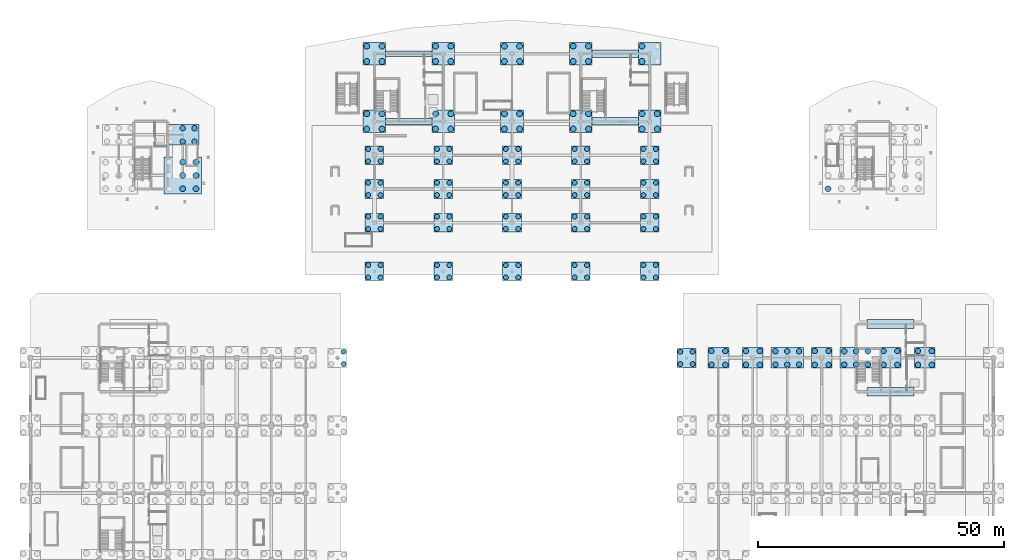
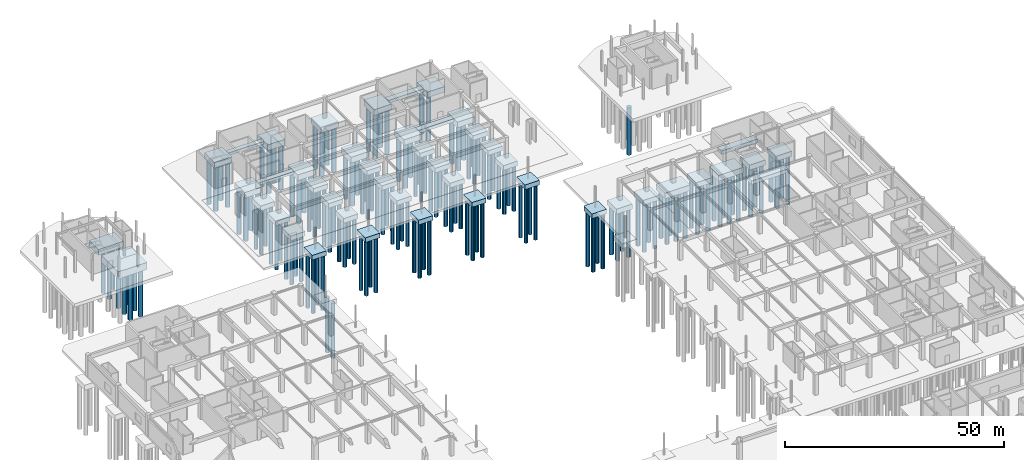
# One storey, part 6 of 62: 167 piles, 46 footings.
"""IFC4 building model written with IfcOpenShell, lengths in metres."""

from ifc_helpers import new_model, si_unit, direction, frame, origin, origin_2d, place, context, subcontext, project, spatial, rectangle, circle, extrude, material, material_profile, profile_set, type_object, element, save


model = new_model("IFC4")

# Units and contexts
model_context = context("Model", 3, precision=1e-05, world=origin(), true_north=direction((0.0, 1.0)))
body_context = subcontext(model_context, "Body", "Model", "MODEL_VIEW")
ifc_project = project(units=[si_unit("LENGTHUNIT", "METRE"), si_unit("AREAUNIT", "SQUARE_METRE"), si_unit("VOLUMEUNIT", "CUBIC_METRE"), si_unit("PLANEANGLEUNIT", "RADIAN"), si_unit("MASSUNIT", "GRAM", prefix="KILO")], contexts=[model_context])

# Site, building, storey
site_placement = place(None, origin())
site = spatial("IfcSite", under=ifc_project, at=site_placement, CompositionType="ELEMENT")
building_placement = place(site_placement, origin())
building = spatial("IfcBuilding", under=site, at=building_placement, Name="Linyun Crest Stadium", CompositionType="ELEMENT")
storey_placement = place(building_placement, frame((0.0, 0.0, -6.0)))
storey = spatial("IfcBuildingStorey", under=building, at=storey_placement, Name="B1", CompositionType="ELEMENT", Elevation=-6.0)

# Piles
ifc_material_1 = material(Name="Concrete C40", Category="concrete")
ifc_material_profile_1 = material_profile(ifc_material_1, circle(Radius=0.5, at=origin_2d()), Name="BORED PILE 1000")
ifc_profile_set_1 = profile_set([ifc_material_profile_1], Name="Concrete C40")
pile_type_1 = type_object("IfcPileType", Name="P02", PredefinedType="BORED", material=ifc_profile_set_1)
for number, where, z_axis, x_axis, name in (
    (1, (-29.25, 69.625, -1.800048828125), (0.0, 0.0, -1.0), (1.0, 0.0, 0.0), "Bored pile P02 577"),
    (2, (-29.25, 72.125, -1.800048828125), (0.0, 0.0, -1.0), (1.0, 0.0, 0.0), "Bored pile P02 578"),
    (3, (-26.75, 69.625, -1.800048828125), (0.0, 0.0, -1.0), (1.0, 0.0, 0.0), "Bored pile P02 579"),
    (4, (-26.75, 72.125, -1.800048828125), (0.0, 0.0, -1.0), (1.0, 0.0, 0.0), "Bored pile P02 580"),
    (5, (-29.25, 76.5, -1.800048828125), (0.0, 0.0, -1.0), (1.0, 0.0, 0.0), "Bored pile P02 581"),
    (6, (-29.25, 79.0, -1.800048828125), (0.0, 0.0, -1.0), (1.0, 0.0, 0.0), "Bored pile P02 582"),
    (7, (-26.75, 76.5, -1.800048828125), (0.0, 0.0, -1.0), (1.0, 0.0, 0.0), "Bored pile P02 583"),
    (8, (-26.75, 79.0, -1.800048828125), (0.0, 0.0, -1.0), (1.0, 0.0, 0.0), "Bored pile P02 584"),
    (9, (-29.25, 83.375, -1.800048828125), (0.0, 0.0, -1.0), (1.0, 0.0, 0.0), "Bored pile P02 585"),
    (10, (-29.25, 85.875, -1.800048828125), (0.0, 0.0, -1.0), (1.0, 0.0, 0.0), "Bored pile P02 586"),
    (11, (-26.75, 83.375, -1.800048828125), (0.0, 0.0, -1.0), (1.0, 0.0, 0.0), "Bored pile P02 587"),
    (12, (-26.75, 85.875, -1.800048828125), (0.0, 0.0, -1.0), (1.0, 0.0, 0.0), "Bored pile P02 588"),
    (13, (-15.25, 69.625, -1.800048828125), (0.0, 0.0, -1.0), (1.0, 0.0, 0.0), "Bored pile P02 597"),
    (14, (-15.25, 72.125, -1.800048828125), (0.0, 0.0, -1.0), (1.0, 0.0, 0.0), "Bored pile P02 598"),
    (15, (-12.75, 69.625, -1.800048828125), (0.0, 0.0, -1.0), (1.0, 0.0, 0.0), "Bored pile P02 599"),
    (16, (-12.75, 72.125, -1.800048828125), (0.0, 0.0, -1.0), (1.0, 0.0, 0.0), "Bored pile P02 600"),
    (17, (-15.25, 76.5, -1.800048828125), (0.0, 0.0, -1.0), (1.0, 0.0, 0.0), "Bored pile P02 601"),
    (18, (-15.25, 79.0, -1.800048828125), (0.0, 0.0, -1.0), (1.0, 0.0, 0.0), "Bored pile P02 602"),
    (19, (-12.75, 76.5, -1.800048828125), (0.0, 0.0, -1.0), (1.0, 0.0, 0.0), "Bored pile P02 603"),
    (20, (-12.75, 79.0, -1.800048828125), (0.0, 0.0, -1.0), (1.0, 0.0, 0.0), "Bored pile P02 604"),
    (21, (-15.25, 83.375, -1.800048828125), (0.0, 0.0, -1.0), (1.0, 0.0, 0.0), "Bored pile P02 605"),
    (22, (-15.25, 85.875, -1.800048828125), (0.0, 0.0, -1.0), (1.0, 0.0, 0.0), "Bored pile P02 606"),
    (23, (-12.75, 83.375, -1.800048828125), (0.0, 0.0, -1.0), (1.0, 0.0, 0.0), "Bored pile P02 607"),
    (24, (-12.75, 85.875, -1.800048828125), (0.0, 0.0, -1.0), (1.0, 0.0, 0.0), "Bored pile P02 608"),
    (25, (-1.25, 69.625, -1.800048828125), (0.0, 0.0, -1.0), (1.0, 0.0, 0.0), "Bored pile P02 617"),
    (26, (-1.25, 72.125, -1.800048828125), (0.0, 0.0, -1.0), (1.0, 0.0, 0.0), "Bored pile P02 618"),
    (27, (1.25, 69.625, -1.800048828125), (0.0, 0.0, -1.0), (1.0, 0.0, 0.0), "Bored pile P02 619"),
    (28, (1.25, 72.125, -1.800048828125), (0.0, 0.0, -1.0), (1.0, 0.0, 0.0), "Bored pile P02 620"),
    (29, (-1.25, 76.5, -1.800048828125), (0.0, 0.0, -1.0), (1.0, 0.0, 0.0), "Bored pile P02 621"),
    (30, (-1.25, 79.0, -1.800048828125), (0.0, 0.0, -1.0), (1.0, 0.0, 0.0), "Bored pile P02 622"),
    (31, (1.25, 76.5, -1.800048828125), (0.0, 0.0, -1.0), (1.0, 0.0, 0.0), "Bored pile P02 623"),
    (32, (1.25, 79.0, -1.800048828125), (0.0, 0.0, -1.0), (1.0, 0.0, 0.0), "Bored pile P02 624"),
    (33, (-1.25, 83.375, -1.800048828125), (0.0, 0.0, -1.0), (1.0, 0.0, 0.0), "Bored pile P02 625"),
    (34, (-1.25, 85.875, -1.800048828125), (0.0, 0.0, -1.0), (1.0, 0.0, 0.0), "Bored pile P02 626"),
    (35, (1.25, 83.375, -1.800048828125), (0.0, 0.0, -1.0), (1.0, 0.0, 0.0), "Bored pile P02 627"),
    (36, (1.25, 85.875, -1.800048828125), (0.0, 0.0, -1.0), (1.0, 0.0, 0.0), "Bored pile P02 628"),
    (37, (12.75, 69.625, -1.800048828125), (0.0, 0.0, -1.0), (1.0, 0.0, 0.0), "Bored pile P02 637"),
    (38, (12.75, 72.125, -1.800048828125), (0.0, 0.0, -1.0), (1.0, 0.0, 0.0), "Bored pile P02 638"),
    (39, (15.25, 69.625, -1.800048828125), (0.0, 0.0, -1.0), (1.0, 0.0, 0.0), "Bored pile P02 639"),
    (40, (15.25, 72.125, -1.800048828125), (0.0, 0.0, -1.0), (1.0, 0.0, 0.0), "Bored pile P02 640"),
    (41, (12.75, 76.5, -1.800048828125), (0.0, 0.0, -1.0), (1.0, 0.0, 0.0), "Bored pile P02 641"),
    (42, (12.75, 79.0, -1.800048828125), (0.0, 0.0, -1.0), (1.0, 0.0, 0.0), "Bored pile P02 642"),
    (43, (15.25, 76.5, -1.800048828125), (0.0, 0.0, -1.0), (1.0, 0.0, 0.0), "Bored pile P02 643"),
    (44, (15.25, 79.0, -1.800048828125), (0.0, 0.0, -1.0), (1.0, 0.0, 0.0), "Bored pile P02 644"),
    (45, (12.75, 83.375, -1.800048828125), (0.0, 0.0, -1.0), (1.0, 0.0, 0.0), "Bored pile P02 645"),
    (46, (12.75, 85.875, -1.800048828125), (0.0, 0.0, -1.0), (1.0, 0.0, 0.0), "Bored pile P02 646"),
    (47, (15.25, 83.375, -1.800048828125), (0.0, 0.0, -1.0), (1.0, 0.0, 0.0), "Bored pile P02 647"),
    (48, (15.25, 85.875, -1.800048828125), (0.0, 0.0, -1.0), (1.0, 0.0, 0.0), "Bored pile P02 648"),
    (49, (26.75, 69.625, -1.800048828125), (0.0, 0.0, -1.0), (1.0, 0.0, 0.0), "Bored pile P02 657"),
    (50, (26.75, 72.125, -1.800048828125), (0.0, 0.0, -1.0), (1.0, 0.0, 0.0), "Bored pile P02 658"),
    (51, (29.25, 69.625, -1.800048828125), (0.0, 0.0, -1.0), (1.0, 0.0, 0.0), "Bored pile P02 659"),
    (52, (29.25, 72.125, -1.800048828125), (0.0, 0.0, -1.0), (1.0, 0.0, 0.0), "Bored pile P02 660"),
    (53, (26.75, 76.5, -1.800048828125), (0.0, 0.0, -1.0), (1.0, 0.0, 0.0), "Bored pile P02 661"),
    (54, (26.75, 79.0, -1.800048828125), (0.0, 0.0, -1.0), (1.0, 0.0, 0.0), "Bored pile P02 662"),
    (55, (29.25, 76.5, -1.800048828125), (0.0, 0.0, -1.0), (1.0, 0.0, 0.0), "Bored pile P02 663"),
    (56, (29.25, 79.0, -1.800048828125), (0.0, 0.0, -1.0), (1.0, 0.0, 0.0), "Bored pile P02 664"),
    (57, (26.75, 83.375, -1.800048828125), (0.0, 0.0, -1.0), (1.0, 0.0, 0.0), "Bored pile P02 665"),
    (58, (26.75, 85.875, -1.800048828125), (0.0, 0.0, -1.0), (1.0, 0.0, 0.0), "Bored pile P02 666"),
    (59, (29.25, 83.375, -1.800048828125), (0.0, 0.0, -1.0), (1.0, 0.0, 0.0), "Bored pile P02 667"),
    (60, (29.25, 85.875, -1.800048828125), (0.0, 0.0, -1.0), (1.0, 0.0, 0.0), "Bored pile P02 668"),
):
    element("IfcPile", number, at=place(storey_placement, frame(where, z_axis=z_axis, x_axis=x_axis)), inside=storey, type_object=pile_type_1, Name=name, PredefinedType="BORED", context=body_context, shape_type="SweptSolid", body=[
        extrude(circle(Radius=0.5, at=origin_2d()), origin(), (0.0, 0.0, 1.0), 12.699951171875),
    ])
for number, where, z_axis, x_axis, name in (
    (61, (-34.25, 42.125, -1.199951171875), (0.0, 0.0, -1.0), (1.0, 0.0, 0.0), "Bored pile P02 arch 16.3"),
    (62, (-34.25, 44.625, -1.199951171875), (0.0, 0.0, -1.0), (1.0, 0.0, 0.0), "Bored pile P02 arch 16.4"),
    (63, (34.25, 42.125, -1.199951171875), (0.0, 0.0, -1.0), (1.0, 0.0, 0.0), "Bored pile P02 arch 32.1"),
    (64, (34.25, 44.625, -1.199951171875), (0.0, 0.0, -1.0), (1.0, 0.0, 0.0), "Bored pile P02 arch 32.2"),
    (65, (36.75, 42.125, -1.199951171875), (0.0, 0.0, -1.0), (1.0, 0.0, 0.0), "Bored pile P02 arch 32.3"),
    (66, (36.75, 44.625, -1.199951171875), (0.0, 0.0, -1.0), (1.0, 0.0, 0.0), "Bored pile P02 arch 32.4"),
    (67, (-29.25, 59.75, -1.199951171875), (0.0, 0.0, -1.0), (1.0, 0.0, 0.0), "Bored pile P02 arch 34.1"),
    (68, (-29.25, 62.25, -1.199951171875), (0.0, 0.0, -1.0), (1.0, 0.0, 0.0), "Bored pile P02 arch 34.2"),
    (69, (-26.75, 59.75, -1.199951171875), (0.0, 0.0, -1.0), (1.0, 0.0, 0.0), "Bored pile P02 arch 34.3"),
    (70, (-26.75, 62.25, -1.199951171875), (0.0, 0.0, -1.0), (1.0, 0.0, 0.0), "Bored pile P02 arch 34.4"),
    (71, (-15.25, 59.75, -1.199951171875), (0.0, 0.0, -1.0), (1.0, 0.0, 0.0), "Bored pile P02 arch 36.1"),
    (72, (-15.25, 62.25, -1.199951171875), (0.0, 0.0, -1.0), (1.0, 0.0, 0.0), "Bored pile P02 arch 36.2"),
    (73, (-12.75, 59.75, -1.199951171875), (0.0, 0.0, -1.0), (1.0, 0.0, 0.0), "Bored pile P02 arch 36.3"),
    (74, (-12.75, 62.25, -1.199951171875), (0.0, 0.0, -1.0), (1.0, 0.0, 0.0), "Bored pile P02 arch 36.4"),
    (75, (-1.25, 59.75, -1.199951171875), (0.0, 0.0, -1.0), (1.0, 0.0, 0.0), "Bored pile P02 arch 38.1"),
    (76, (-1.25, 62.25, -1.199951171875), (0.0, 0.0, -1.0), (1.0, 0.0, 0.0), "Bored pile P02 arch 38.2"),
    (77, (1.25, 59.75, -1.199951171875), (0.0, 0.0, -1.0), (1.0, 0.0, 0.0), "Bored pile P02 arch 38.3"),
    (78, (1.25, 62.25, -1.199951171875), (0.0, 0.0, -1.0), (1.0, 0.0, 0.0), "Bored pile P02 arch 38.4"),
    (79, (12.75, 59.75, -1.199951171875), (0.0, 0.0, -1.0), (1.0, 0.0, 0.0), "Bored pile P02 arch 40.1"),
    (80, (12.75, 62.25, -1.199951171875), (0.0, 0.0, -1.0), (1.0, 0.0, 0.0), "Bored pile P02 arch 40.2"),
    (81, (15.25, 59.75, -1.199951171875), (0.0, 0.0, -1.0), (1.0, 0.0, 0.0), "Bored pile P02 arch 40.3"),
    (82, (15.25, 62.25, -1.199951171875), (0.0, 0.0, -1.0), (1.0, 0.0, 0.0), "Bored pile P02 arch 40.4"),
    (83, (26.75, 59.75, -1.199951171875), (0.0, 0.0, -1.0), (1.0, 0.0, 0.0), "Bored pile P02 arch 42.1"),
    (84, (26.75, 62.25, -1.199951171875), (0.0, 0.0, -1.0), (1.0, 0.0, 0.0), "Bored pile P02 arch 42.2"),
    (85, (29.25, 59.75, -1.199951171875), (0.0, 0.0, -1.0), (1.0, 0.0, 0.0), "Bored pile P02 arch 42.3"),
    (86, (29.25, 62.25, -1.199951171875), (0.0, 0.0, -1.0), (1.0, 0.0, 0.0), "Bored pile P02 arch 42.4"),
):
    element("IfcPile", number, at=place(storey_placement, frame(where, z_axis=z_axis, x_axis=x_axis)), inside=storey, type_object=pile_type_1, Name=name, PredefinedType="BORED", context=body_context, shape_type="SweptSolid", body=[
        extrude(circle(Radius=0.5, at=origin_2d()), origin(), (0.0, 0.0, 1.0), 15.300048828125),
    ])
ifc_material_2 = material(Name="Concrete C40", Category="concrete")
ifc_material_profile_2 = material_profile(ifc_material_2, circle(Radius=0.550048828125, at=origin_2d()), Name="BORED PILE 1100")
ifc_profile_set_2 = profile_set([ifc_material_profile_2], Name="Concrete C40")
pile_type_2 = type_object("IfcPileType", Name="P03", PredefinedType="BORED", material=ifc_profile_set_2)
for number, where, z_axis, x_axis, name in (
    (87, (40.60009765625, 41.97509765625, -2.050048828125), (0.0, 0.0, -1.0), (1.0, 0.0, 0.0), "Bored pile P03 317"),
    (88, (40.60009765625, 44.77490234375, -2.050048828125), (0.0, 0.0, -1.0), (1.0, 0.0, 0.0), "Bored pile P03 318"),
    (89, (43.39990234375, 41.97509765625, -2.050048828125), (0.0, 0.0, -1.0), (1.0, 0.0, 0.0), "Bored pile P03 319"),
    (90, (43.39990234375, 44.77490234375, -2.050048828125), (0.0, 0.0, -1.0), (1.0, 0.0, 0.0), "Bored pile P03 320"),
    (91, (47.60009765625, 41.97509765625, -2.050048828125), (0.0, 0.0, -1.0), (1.0, 0.0, 0.0), "Bored pile P03 349"),
    (92, (47.60009765625, 44.77490234375, -2.050048828125), (0.0, 0.0, -1.0), (1.0, 0.0, 0.0), "Bored pile P03 350"),
    (93, (50.39990234375, 41.97509765625, -2.050048828125), (0.0, 0.0, -1.0), (1.0, 0.0, 0.0), "Bored pile P03 351"),
    (94, (50.39990234375, 44.77490234375, -2.050048828125), (0.0, 0.0, -1.0), (1.0, 0.0, 0.0), "Bored pile P03 352"),
):
    element("IfcPile", number, at=place(storey_placement, frame(where, z_axis=z_axis, x_axis=x_axis)), inside=storey, type_object=pile_type_2, Name=name, PredefinedType="BORED", context=body_context, shape_type="SweptSolid", body=[
        extrude(circle(Radius=0.550048828125, at=origin_2d()), origin(), (0.0, 0.0, 1.0), 13.449951171875),
    ])
for number, where, z_axis, x_axis, name in (
    (95, (53.60009765625, 42.02490234375, -2.25), (0.0, 0.0, -1.0), (1.0, 0.0, 0.0), "Bored pile P03 395"),
    (96, (53.60009765625, 44.72509765625, -2.25), (0.0, 0.0, -1.0), (1.0, 0.0, 0.0), "Bored pile P03 396"),
    (97, (56.0, 42.02490234375, -2.25), (0.0, 0.0, -1.0), (1.0, 0.0, 0.0), "Bored pile P03 397"),
    (98, (56.0, 44.72509765625, -2.25), (0.0, 0.0, -1.0), (1.0, 0.0, 0.0), "Bored pile P03 398"),
    (99, (58.39990234375, 42.02490234375, -2.25), (0.0, 0.0, -1.0), (1.0, 0.0, 0.0), "Bored pile P03 399"),
    (100, (58.39990234375, 44.72509765625, -2.25), (0.0, 0.0, -1.0), (1.0, 0.0, 0.0), "Bored pile P03 400"),
):
    element("IfcPile", number, at=place(storey_placement, frame(where, z_axis=z_axis, x_axis=x_axis)), inside=storey, type_object=pile_type_2, Name=name, PredefinedType="BORED", context=body_context, shape_type="SweptSolid", body=[
        extrude(circle(Radius=0.550048828125, at=origin_2d()), origin(), (0.0, 0.0, 1.0), 13.25),
    ])
for number, where, z_axis, x_axis, name in (
    (101, (61.60009765625, 41.97509765625, -2.050048828125), (0.0, 0.0, -1.0), (1.0, 0.0, 0.0), "Bored pile P03 429"),
    (102, (61.60009765625, 44.77490234375, -2.050048828125), (0.0, 0.0, -1.0), (1.0, 0.0, 0.0), "Bored pile P03 430"),
    (103, (64.39990234375, 41.97509765625, -2.050048828125), (0.0, 0.0, -1.0), (1.0, 0.0, 0.0), "Bored pile P03 431"),
    (104, (64.39990234375, 44.77490234375, -2.050048828125), (0.0, 0.0, -1.0), (1.0, 0.0, 0.0), "Bored pile P03 432"),
):
    element("IfcPile", number, at=place(storey_placement, frame(where, z_axis=z_axis, x_axis=x_axis)), inside=storey, type_object=pile_type_2, Name=name, PredefinedType="BORED", context=body_context, shape_type="SweptSolid", body=[
        extrude(circle(Radius=0.550048828125, at=origin_2d()), origin(), (0.0, 0.0, 1.0), 13.449951171875),
    ])
for number, where, z_axis, x_axis, name in (
    (105, (67.60009765625, 42.02490234375, -2.25), (0.0, 0.0, -1.0), (1.0, 0.0, 0.0), "Bored pile P03 475"),
    (106, (67.60009765625, 44.72509765625, -2.25), (0.0, 0.0, -1.0), (1.0, 0.0, 0.0), "Bored pile P03 476"),
    (107, (70.0, 42.02490234375, -2.25), (0.0, 0.0, -1.0), (1.0, 0.0, 0.0), "Bored pile P03 477"),
    (108, (70.0, 44.72509765625, -2.25), (0.0, 0.0, -1.0), (1.0, 0.0, 0.0), "Bored pile P03 478"),
    (109, (72.39990234375, 42.02490234375, -2.25), (0.0, 0.0, -1.0), (1.0, 0.0, 0.0), "Bored pile P03 479"),
    (110, (72.39990234375, 44.72509765625, -2.25), (0.0, 0.0, -1.0), (1.0, 0.0, 0.0), "Bored pile P03 480"),
):
    element("IfcPile", number, at=place(storey_placement, frame(where, z_axis=z_axis, x_axis=x_axis)), inside=storey, type_object=pile_type_2, Name=name, PredefinedType="BORED", context=body_context, shape_type="SweptSolid", body=[
        extrude(circle(Radius=0.550048828125, at=origin_2d()), origin(), (0.0, 0.0, 1.0), 13.25),
    ])
for number, where, z_axis, x_axis, name in (
    (111, (75.60009765625, 41.97509765625, -2.050048828125), (0.0, 0.0, -1.0), (1.0, 0.0, 0.0), "Bored pile P03 509"),
    (112, (75.60009765625, 44.77490234375, -2.050048828125), (0.0, 0.0, -1.0), (1.0, 0.0, 0.0), "Bored pile P03 510"),
    (113, (78.39990234375, 41.97509765625, -2.050048828125), (0.0, 0.0, -1.0), (1.0, 0.0, 0.0), "Bored pile P03 511"),
    (114, (78.39990234375, 44.77490234375, -2.050048828125), (0.0, 0.0, -1.0), (1.0, 0.0, 0.0), "Bored pile P03 512"),
    (115, (82.60009765625, 41.97509765625, -2.050048828125), (0.0, 0.0, -1.0), (1.0, 0.0, 0.0), "Bored pile P03 541"),
    (116, (82.60009765625, 44.77490234375, -2.050048828125), (0.0, 0.0, -1.0), (1.0, 0.0, 0.0), "Bored pile P03 542"),
    (117, (85.39990234375, 41.97509765625, -2.050048828125), (0.0, 0.0, -1.0), (1.0, 0.0, 0.0), "Bored pile P03 543"),
    (118, (85.39990234375, 44.77490234375, -2.050048828125), (0.0, 0.0, -1.0), (1.0, 0.0, 0.0), "Bored pile P03 544"),
):
    element("IfcPile", number, at=place(storey_placement, frame(where, z_axis=z_axis, x_axis=x_axis)), inside=storey, type_object=pile_type_2, Name=name, PredefinedType="BORED", context=body_context, shape_type="SweptSolid", body=[
        extrude(circle(Radius=0.550048828125, at=origin_2d()), origin(), (0.0, 0.0, 1.0), 13.449951171875),
    ])
for number, where, z_axis, x_axis, name in (
    (119, (-67.0, 87.39990234375, -2.39990234375), (0.0, 0.0, -1.0), (1.0, 0.0, 0.0), "Bored pile P03 823"),
    (120, (-67.0, 90.10009765625, -2.39990234375), (0.0, 0.0, -1.0), (1.0, 0.0, 0.0), "Bored pile P03 824"),
    (121, (-64.60009765625, 87.39990234375, -2.39990234375), (0.0, 0.0, -1.0), (1.0, 0.0, 0.0), "Bored pile P03 825"),
    (122, (-64.60009765625, 90.10009765625, -2.39990234375), (0.0, 0.0, -1.0), (1.0, 0.0, 0.0), "Bored pile P03 826"),
):
    element("IfcPile", number, at=place(storey_placement, frame(where, z_axis=z_axis, x_axis=x_axis)), inside=storey, type_object=pile_type_2, Name=name, PredefinedType="BORED", context=body_context, shape_type="SweptSolid", body=[
        extrude(circle(Radius=0.550048828125, at=origin_2d()), origin(), (0.0, 0.0, 1.0), 13.60009765625),
    ])
ifc_material_3 = material(Name="Concrete C40", Category="concrete")
ifc_material_profile_3 = material_profile(ifc_material_3, circle(Radius=0.60009765625, at=origin_2d()), Name="BORED PILE 1200")
ifc_profile_set_3 = profile_set([ifc_material_profile_3], Name="Concrete C40")
pile_type_3 = type_object("IfcPileType", Name="P04", PredefinedType="BORED", material=ifc_profile_set_3)
for number, where, z_axis, x_axis, name in (
    (123, (-29.550048828125, 89.949951171875, -2.10009765625), (0.0, 0.0, -1.0), (1.0, 0.0, 0.0), "Bored pile P04 589"),
    (124, (-29.550048828125, 93.050048828125, -2.10009765625), (0.0, 0.0, -1.0), (1.0, 0.0, 0.0), "Bored pile P04 590"),
    (125, (-26.449951171875, 89.949951171875, -2.10009765625), (0.0, 0.0, -1.0), (1.0, 0.0, 0.0), "Bored pile P04 591"),
    (126, (-26.449951171875, 93.050048828125, -2.10009765625), (0.0, 0.0, -1.0), (1.0, 0.0, 0.0), "Bored pile P04 592"),
    (127, (-29.550048828125, 103.699951171875, -2.10009765625), (0.0, 0.0, -1.0), (1.0, 0.0, 0.0), "Bored pile P04 593"),
    (128, (-29.550048828125, 106.800048828125, -2.10009765625), (0.0, 0.0, -1.0), (1.0, 0.0, 0.0), "Bored pile P04 594"),
    (129, (-26.449951171875, 103.699951171875, -2.10009765625), (0.0, 0.0, -1.0), (1.0, 0.0, 0.0), "Bored pile P04 595"),
    (130, (-26.449951171875, 106.800048828125, -2.10009765625), (0.0, 0.0, -1.0), (1.0, 0.0, 0.0), "Bored pile P04 596"),
    (131, (-15.550048828125, 89.949951171875, -2.10009765625), (0.0, 0.0, -1.0), (1.0, 0.0, 0.0), "Bored pile P04 609"),
    (132, (-15.550048828125, 93.050048828125, -2.10009765625), (0.0, 0.0, -1.0), (1.0, 0.0, 0.0), "Bored pile P04 610"),
    (133, (-12.449951171875, 89.949951171875, -2.10009765625), (0.0, 0.0, -1.0), (1.0, 0.0, 0.0), "Bored pile P04 611"),
    (134, (-12.449951171875, 93.050048828125, -2.10009765625), (0.0, 0.0, -1.0), (1.0, 0.0, 0.0), "Bored pile P04 612"),
    (135, (-15.550048828125, 103.699951171875, -2.10009765625), (0.0, 0.0, -1.0), (1.0, 0.0, 0.0), "Bored pile P04 613"),
    (136, (-15.550048828125, 106.800048828125, -2.10009765625), (0.0, 0.0, -1.0), (1.0, 0.0, 0.0), "Bored pile P04 614"),
    (137, (-12.449951171875, 103.699951171875, -2.10009765625), (0.0, 0.0, -1.0), (1.0, 0.0, 0.0), "Bored pile P04 615"),
    (138, (-12.449951171875, 106.800048828125, -2.10009765625), (0.0, 0.0, -1.0), (1.0, 0.0, 0.0), "Bored pile P04 616"),
    (139, (-1.550048828125, 89.949951171875, -2.10009765625), (0.0, 0.0, -1.0), (1.0, 0.0, 0.0), "Bored pile P04 629"),
    (140, (-1.550048828125, 93.050048828125, -2.10009765625), (0.0, 0.0, -1.0), (1.0, 0.0, 0.0), "Bored pile P04 630"),
    (141, (1.550048828125, 89.949951171875, -2.10009765625), (0.0, 0.0, -1.0), (1.0, 0.0, 0.0), "Bored pile P04 631"),
    (142, (1.550048828125, 93.050048828125, -2.10009765625), (0.0, 0.0, -1.0), (1.0, 0.0, 0.0), "Bored pile P04 632"),
    (143, (-1.550048828125, 103.699951171875, -2.10009765625), (0.0, 0.0, -1.0), (1.0, 0.0, 0.0), "Bored pile P04 633"),
    (144, (-1.550048828125, 106.800048828125, -2.10009765625), (0.0, 0.0, -1.0), (1.0, 0.0, 0.0), "Bored pile P04 634"),
    (145, (1.550048828125, 103.699951171875, -2.10009765625), (0.0, 0.0, -1.0), (1.0, 0.0, 0.0), "Bored pile P04 635"),
    (146, (1.550048828125, 106.800048828125, -2.10009765625), (0.0, 0.0, -1.0), (1.0, 0.0, 0.0), "Bored pile P04 636"),
    (147, (12.449951171875, 89.949951171875, -2.10009765625), (0.0, 0.0, -1.0), (1.0, 0.0, 0.0), "Bored pile P04 649"),
    (148, (12.449951171875, 93.050048828125, -2.10009765625), (0.0, 0.0, -1.0), (1.0, 0.0, 0.0), "Bored pile P04 650"),
    (149, (15.550048828125, 89.949951171875, -2.10009765625), (0.0, 0.0, -1.0), (1.0, 0.0, 0.0), "Bored pile P04 651"),
    (150, (15.550048828125, 93.050048828125, -2.10009765625), (0.0, 0.0, -1.0), (1.0, 0.0, 0.0), "Bored pile P04 652"),
    (151, (12.449951171875, 103.699951171875, -2.10009765625), (0.0, 0.0, -1.0), (1.0, 0.0, 0.0), "Bored pile P04 653"),
    (152, (12.449951171875, 106.800048828125, -2.10009765625), (0.0, 0.0, -1.0), (1.0, 0.0, 0.0), "Bored pile P04 654"),
    (153, (15.550048828125, 103.699951171875, -2.10009765625), (0.0, 0.0, -1.0), (1.0, 0.0, 0.0), "Bored pile P04 655"),
    (154, (15.550048828125, 106.800048828125, -2.10009765625), (0.0, 0.0, -1.0), (1.0, 0.0, 0.0), "Bored pile P04 656"),
    (155, (26.449951171875, 89.949951171875, -2.10009765625), (0.0, 0.0, -1.0), (1.0, 0.0, 0.0), "Bored pile P04 669"),
    (156, (26.449951171875, 93.050048828125, -2.10009765625), (0.0, 0.0, -1.0), (1.0, 0.0, 0.0), "Bored pile P04 670"),
    (157, (29.550048828125, 89.949951171875, -2.10009765625), (0.0, 0.0, -1.0), (1.0, 0.0, 0.0), "Bored pile P04 671"),
    (158, (29.550048828125, 93.050048828125, -2.10009765625), (0.0, 0.0, -1.0), (1.0, 0.0, 0.0), "Bored pile P04 672"),
    (159, (26.449951171875, 103.699951171875, -2.10009765625), (0.0, 0.0, -1.0), (1.0, 0.0, 0.0), "Bored pile P04 673"),
    (160, (26.449951171875, 106.800048828125, -2.10009765625), (0.0, 0.0, -1.0), (1.0, 0.0, 0.0), "Bored pile P04 674"),
):
    element("IfcPile", number, at=place(storey_placement, frame(where, z_axis=z_axis, x_axis=x_axis)), inside=storey, type_object=pile_type_3, Name=name, PredefinedType="BORED", context=body_context, shape_type="SweptSolid", body=[
        extrude(circle(Radius=0.60009765625, at=origin_2d()), origin(), (0.0, 0.0, 1.0), 12.39990234375),
    ])
for number, where, z_axis, x_axis, name in (
    (161, (-67.0, 77.800048828125, -2.800048828125), (0.0, 0.0, -1.0), (1.0, 0.0, 0.0), "Bored pile P04 809"),
    (162, (-67.0, 80.5, -2.800048828125), (0.0, 0.0, -1.0), (1.0, 0.0, 0.0), "Bored pile P04 810"),
    (163, (-67.0, 83.199951171875, -2.800048828125), (0.0, 0.0, -1.0), (1.0, 0.0, 0.0), "Bored pile P04 811"),
    (164, (-64.300048828125, 77.800048828125, -2.800048828125), (0.0, 0.0, -1.0), (1.0, 0.0, 0.0), "Bored pile P04 812"),
    (165, (-64.300048828125, 80.5, -2.800048828125), (0.0, 0.0, -1.0), (1.0, 0.0, 0.0), "Bored pile P04 813"),
    (166, (-64.300048828125, 83.199951171875, -2.800048828125), (0.0, 0.0, -1.0), (1.0, 0.0, 0.0), "Bored pile P04 814"),
    (167, (64.300048828125, 77.800048828125, -2.800048828125), (0.0, 0.0, -1.0), (1.0, 0.0, 0.0), "Bored pile P04 827"),
):
    element("IfcPile", number, at=place(storey_placement, frame(where, z_axis=z_axis, x_axis=x_axis)), inside=storey, type_object=pile_type_3, Name=name, PredefinedType="BORED", context=body_context, shape_type="SweptSolid", body=[
        extrude(circle(Radius=0.60009765625, at=origin_2d()), origin(), (0.0, 0.0, 1.0), 13.199951171875),
    ])

# Footings
ifc_material_4 = material(Name="Concrete C40", Category="concrete")
footing_type_1 = type_object("IfcFootingType", Name="PC02", PredefinedType="PILE_CAP", material=ifc_material_4)
for number, where, z_axis, x_axis, name in (
    (168, (-28.0, 70.875, -1.89990234375), (0.0, 0.0, 1.0), (1.0, 0.0, 0.0), "Foundation PC02 129"),
    (169, (-28.0, 77.75, -1.89990234375), (0.0, 0.0, 1.0), (1.0, 0.0, 0.0), "Foundation PC02 130"),
    (170, (-28.0, 84.625, -1.89990234375), (0.0, 0.0, 1.0), (1.0, 0.0, 0.0), "Foundation PC02 131"),
    (171, (-14.0, 70.875, -1.89990234375), (0.0, 0.0, 1.0), (1.0, 0.0, 0.0), "Foundation PC02 134"),
    (172, (-14.0, 77.75, -1.89990234375), (0.0, 0.0, 1.0), (1.0, 0.0, 0.0), "Foundation PC02 135"),
    (173, (-14.0, 84.625, -1.89990234375), (0.0, 0.0, 1.0), (1.0, 0.0, 0.0), "Foundation PC02 136"),
    (174, (0.0, 70.875, -1.89990234375), (0.0, 0.0, 1.0), (1.0, 0.0, 0.0), "Foundation PC02 139"),
    (175, (0.0, 77.75, -1.89990234375), (0.0, 0.0, 1.0), (1.0, 0.0, 0.0), "Foundation PC02 140"),
    (176, (0.0, 84.625, -1.89990234375), (0.0, 0.0, 1.0), (1.0, 0.0, 0.0), "Foundation PC02 141"),
    (177, (14.0, 70.875, -1.89990234375), (0.0, 0.0, 1.0), (1.0, 0.0, 0.0), "Foundation PC02 144"),
    (178, (14.0, 77.75, -1.89990234375), (0.0, 0.0, 1.0), (1.0, 0.0, 0.0), "Foundation PC02 145"),
    (179, (14.0, 84.625, -1.89990234375), (0.0, 0.0, 1.0), (1.0, 0.0, 0.0), "Foundation PC02 146"),
    (180, (28.0, 70.875, -1.89990234375), (0.0, 0.0, 1.0), (1.0, 0.0, 0.0), "Foundation PC02 149"),
    (181, (28.0, 77.75, -1.89990234375), (0.0, 0.0, 1.0), (1.0, 0.0, 0.0), "Foundation PC02 150"),
    (182, (28.0, 84.625, -1.89990234375), (0.0, 0.0, 1.0), (1.0, 0.0, 0.0), "Foundation PC02 151"),
    (183, (35.5, 43.375, -1.2998046875), (0.0, 0.0, 1.0), (1.0, 0.0, 0.0), "Foundation PC02 arch 32"),
    (184, (-28.0, 61.0, -1.2998046875), (0.0, 0.0, 1.0), (1.0, 0.0, 0.0), "Foundation PC02 arch 34"),
    (185, (-14.0, 61.0, -1.2998046875), (0.0, 0.0, 1.0), (1.0, 0.0, 0.0), "Foundation PC02 arch 36"),
    (186, (0.0, 61.0, -1.2998046875), (0.0, 0.0, 1.0), (1.0, 0.0, 0.0), "Foundation PC02 arch 38"),
    (187, (14.0, 61.0, -1.2998046875), (0.0, 0.0, 1.0), (1.0, 0.0, 0.0), "Foundation PC02 arch 40"),
    (188, (28.0, 61.0, -1.2998046875), (0.0, 0.0, 1.0), (1.0, 0.0, 0.0), "Foundation PC02 arch 42"),
):
    element("IfcFooting", number, at=place(storey_placement, frame(where, z_axis=z_axis, x_axis=x_axis)), inside=storey, type_object=footing_type_1, Name=name, PredefinedType="PILE_CAP", context=body_context, shape_type="SweptSolid", body=[
        extrude(rectangle(XDim=3.800048828125, YDim=3.800048828125, at=origin_2d()), origin(), (0.0, 0.0, 1.0), 1.300048828125),
    ])
ifc_material_5 = material(Name="Concrete C40", Category="concrete")
footing_type_2 = type_object("IfcFootingType", Name="PC03", PredefinedType="PILE_CAP", material=ifc_material_5)
for number, where, z_axis, x_axis, name in (
    (189, (42.0, 43.375, -2.14990234375), (0.0, 0.0, 1.0), (1.0, 0.0, 0.0), "Foundation PC03 72"),
    (190, (49.0, 43.375, -2.14990234375), (0.0, 0.0, 1.0), (1.0, 0.0, 0.0), "Foundation PC03 80"),
    (191, (63.0, 43.375, -2.14990234375), (0.0, 0.0, 1.0), (1.0, 0.0, 0.0), "Foundation PC03 96"),
    (192, (77.0, 43.375, -2.14990234375), (0.0, 0.0, 1.0), (1.0, 0.0, 0.0), "Foundation PC03 112"),
    (193, (84.0, 43.375, -2.14990234375), (0.0, 0.0, 1.0), (1.0, 0.0, 0.0), "Foundation PC03 120"),
):
    element("IfcFooting", number, at=place(storey_placement, frame(where, z_axis=z_axis, x_axis=x_axis)), inside=storey, type_object=footing_type_2, Name=name, PredefinedType="PILE_CAP", context=body_context, shape_type="SweptSolid", body=[
        extrude(rectangle(XDim=4.199951171875, YDim=4.199951171875, at=origin_2d()), origin(), (0.0, 0.0, 1.0), 1.39990234375),
    ])
ifc_material_6 = material(Name="Concrete C40", Category="concrete")
footing_type_3 = type_object("IfcFootingType", Name="PC04", PredefinedType="PILE_CAP", material=ifc_material_6)
for number, where, z_axis, x_axis, name in (
    (194, (-28.0, 91.5, -2.199951171875), (0.0, 0.0, 1.0), (1.0, 0.0, 0.0), "Foundation PC04 132"),
    (195, (-28.0, 105.25, -2.199951171875), (0.0, 0.0, 1.0), (1.0, 0.0, 0.0), "Foundation PC04 133"),
    (196, (-14.0, 91.5, -2.199951171875), (0.0, 0.0, 1.0), (1.0, 0.0, 0.0), "Foundation PC04 137"),
    (197, (-14.0, 105.25, -2.199951171875), (0.0, 0.0, 1.0), (1.0, 0.0, 0.0), "Foundation PC04 138"),
    (198, (0.0, 91.5, -2.199951171875), (0.0, 0.0, 1.0), (1.0, 0.0, 0.0), "Foundation PC04 142"),
    (199, (0.0, 105.25, -2.199951171875), (0.0, 0.0, 1.0), (1.0, 0.0, 0.0), "Foundation PC04 143"),
    (200, (14.0, 91.5, -2.199951171875), (0.0, 0.0, 1.0), (1.0, 0.0, 0.0), "Foundation PC04 147"),
    (201, (14.0, 105.25, -2.199951171875), (0.0, 0.0, 1.0), (1.0, 0.0, 0.0), "Foundation PC04 148"),
    (202, (28.0, 91.5, -2.199951171875), (0.0, 0.0, 1.0), (1.0, 0.0, 0.0), "Foundation PC04 152"),
    (203, (28.0, 105.25, -2.199951171875), (0.0, 0.0, 1.0), (1.0, 0.0, 0.0), "Foundation PC04 153"),
):
    element("IfcFooting", number, at=place(storey_placement, frame(where, z_axis=z_axis, x_axis=x_axis)), inside=storey, type_object=footing_type_3, Name=name, PredefinedType="PILE_CAP", context=body_context, shape_type="SweptSolid", body=[
        extrude(rectangle(XDim=4.60009765625, YDim=4.60009765625, at=origin_2d()), origin(), (0.0, 0.0, 1.0), 1.60009765625),
    ])
ifc_material_7 = material(Name="Concrete C40", Category="concrete")
footing_type_4 = type_object("IfcFootingType", Name="PC05", PredefinedType="PILE_CAP", material=ifc_material_7)
for number, where, z_axis, x_axis, name in (
    (204, (56.0, 43.375, -2.35009765625), (0.0, 0.0, 1.0), (1.0, 0.0, 0.0), "Foundation PC05 88"),
    (205, (70.0, 43.375, -2.35009765625), (0.0, 0.0, 1.0), (1.0, 0.0, 0.0), "Foundation PC05 104"),
    (206, (-67.0, 88.75, -2.5), (0.0, 0.0, 1.0), (1.0, 0.0, 0.0), "Foundation PC05 187"),
):
    element("IfcFooting", number, at=place(storey_placement, frame(where, z_axis=z_axis, x_axis=x_axis)), inside=storey, type_object=footing_type_4, Name=name, PredefinedType="PILE_CAP", context=body_context, shape_type="SweptSolid", body=[
        extrude(rectangle(XDim=6.60009765625, YDim=4.199951171875, at=origin_2d()), origin(), (0.0, 0.0, 1.0), 1.60009765625),
    ])
ifc_material_8 = material(Name="Concrete C40", Category="concrete")
footing_type_5 = type_object("IfcFootingType", Name="PC07", PredefinedType="PILE_CAP", material=ifc_material_8)
footing_placement = place(storey_placement, frame((-67.0, 80.5, -2.89990234375), z_axis=(0.0, 0.0, 1.0), x_axis=(1.0, 0.0, 0.0)))
element("IfcFooting", 207, at=footing_placement, inside=storey, type_object=footing_type_5, Name="Foundation PC07 185", PredefinedType="PILE_CAP", context=body_context, shape_type="SweptSolid", body=[
    extrude(rectangle(XDim=7.60009765625, YDim=7.60009765625, at=origin_2d()), origin(), (0.0, 0.0, 1.0), 2.0),
])
ifc_material_9 = material(Name="Concrete C40", Category="concrete")
footing_type_6 = type_object("IfcFootingType", Name="SF02", PredefinedType="STRIP_FOOTING", material=ifc_material_9)
for number, where, z_axis, x_axis, name in (
    (208, (21.0, 91.5, -1.449951171875), (0.0, 0.0, 1.0), (1.0, 0.0, 0.0), "Strip footing SF02 23"),
    (209, (21.0, 105.25, -1.449951171875), (0.0, 0.0, 1.0), (1.0, 0.0, 0.0), "Strip footing SF02 24"),
):
    element("IfcFooting", number, at=place(storey_placement, frame(where, z_axis=z_axis, x_axis=x_axis)), inside=storey, type_object=footing_type_6, Name=name, PredefinedType="STRIP_FOOTING", context=body_context, shape_type="SweptSolid", body=[
        extrude(rectangle(XDim=9.3798828125, YDim=1.5, at=origin_2d()), origin(), (0.0, 0.0, 1.0), 0.85009765625),
    ])
ifc_material_10 = material(Name="Concrete C40", Category="concrete")
footing_type_7 = type_object("IfcFootingType", Name="SF03", PredefinedType="STRIP_FOOTING", material=ifc_material_10)
for number, where, z_axis, x_axis, name in (
    (210, (77.0, 36.5, -1.75), (0.0, 0.0, 1.0), (1.0, 0.0, 0.0), "Strip footing SF03 19"),
    (211, (77.0, 50.25, -1.75), (0.0, 0.0, 1.0), (1.0, 0.0, 0.0), "Strip footing SF03 20"),
):
    element("IfcFooting", number, at=place(storey_placement, frame(where, z_axis=z_axis, x_axis=x_axis)), inside=storey, type_object=footing_type_7, Name=name, PredefinedType="STRIP_FOOTING", context=body_context, shape_type="SweptSolid", body=[
        extrude(rectangle(XDim=9.60009765625, YDim=1.800048828125, at=origin_2d()), origin(), (0.0, 0.0, 1.0), 1.0),
    ])
ifc_material_11 = material(Name="Concrete C40", Category="concrete")
footing_type_8 = type_object("IfcFootingType", Name="SF10", PredefinedType="STRIP_FOOTING", material=ifc_material_11)
for number, where, z_axis, x_axis, name in (
    (212, (-21.0, 91.5, -1.2998046875), (0.0, 0.0, 1.0), (1.0, 0.0, 0.0), "Strip footing SF10 21"),
    (213, (-21.0, 105.25, -1.2998046875), (0.0, 0.0, 1.0), (1.0, 0.0, 0.0), "Strip footing SF10 22"),
):
    element("IfcFooting", number, at=place(storey_placement, frame(where, z_axis=z_axis, x_axis=x_axis)), inside=storey, type_object=footing_type_8, Name=name, PredefinedType="STRIP_FOOTING", context=body_context, shape_type="SweptSolid", body=[
        extrude(rectangle(XDim=9.3798828125, YDim=1.199951171875, at=origin_2d()), origin(), (0.0, 0.0, 1.0), 0.699951171875),
    ])

save(model, "model.ifc")
